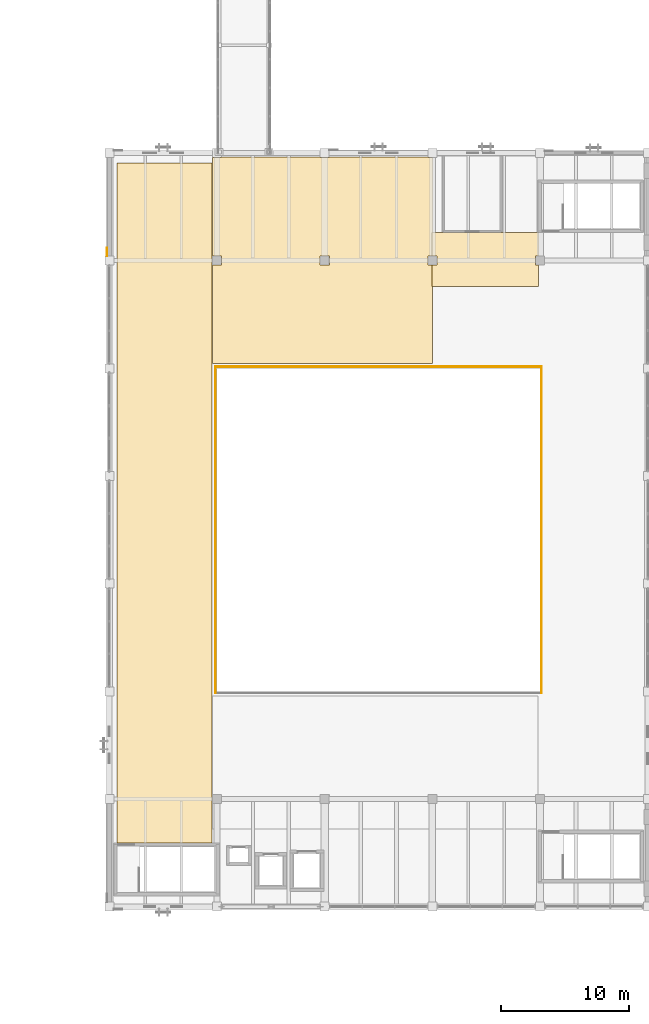
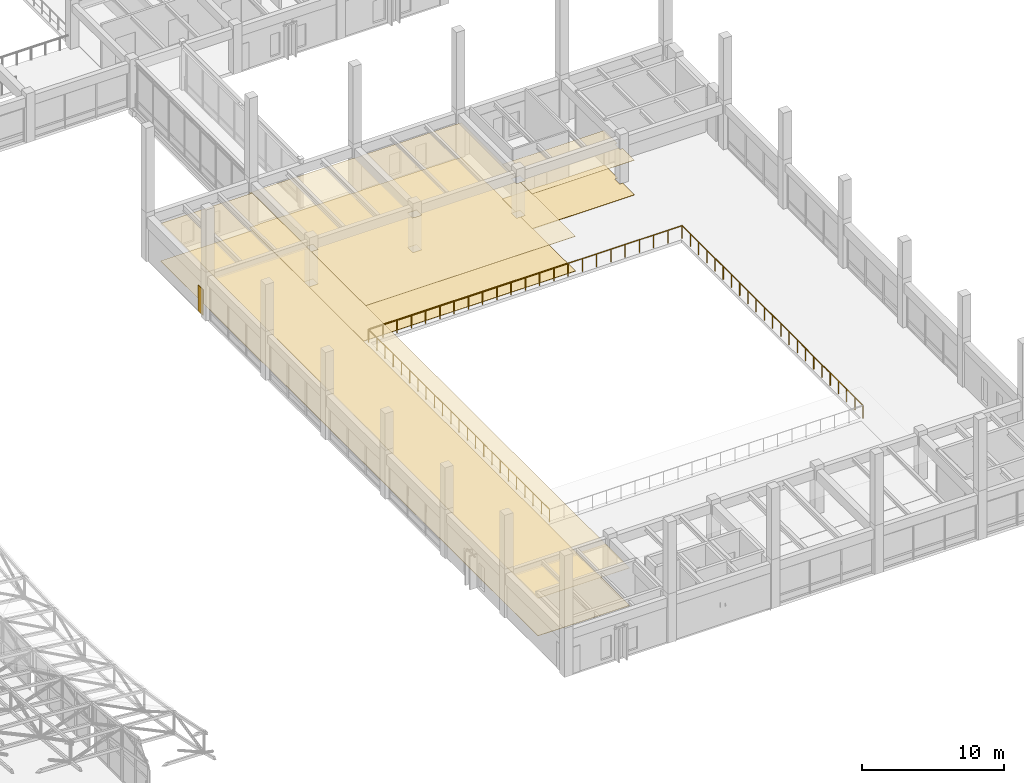
# One storey, part 126 of 132: 7 coverings, 3 railings.
"""IFC4 building model written with IfcOpenShell, lengths in metres."""

from ifc_helpers import new_model, si_unit, direction, frame, origin, origin_2d, place, context, subcontext, project, spatial, polyline, circle, outline, extrude, material, layer, layer_set, type_object, element, save


model = new_model("IFC4")

# Units and contexts
model_context = context("Model", 3, precision=1e-05, world=origin(), true_north=direction((0.0, 1.0)))
body_context = subcontext(model_context, "Body", "Model", "MODEL_VIEW")
ifc_project = project(units=[si_unit("LENGTHUNIT", "METRE"), si_unit("AREAUNIT", "SQUARE_METRE"), si_unit("VOLUMEUNIT", "CUBIC_METRE"), si_unit("PLANEANGLEUNIT", "RADIAN"), si_unit("MASSUNIT", "GRAM", prefix="KILO")], contexts=[model_context])

# Site, building, storey
site_placement = place(None, origin())
site = spatial("IfcSite", under=ifc_project, at=site_placement, CompositionType="ELEMENT")
building_placement = place(site_placement, origin())
building = spatial("IfcBuilding", under=site, at=building_placement, Name="Cumbredor Promenade Congress Hotel", CompositionType="ELEMENT")
storey_placement = place(building_placement, frame((0.0, 0.0, 7.56005859375)))
storey = spatial("IfcBuildingStorey", under=building, at=storey_placement, Name="L02", CompositionType="ELEMENT", Elevation=7.56005859375)

# Coverings
ifc_material_1 = material(Name="Acoustic mineral-fiber and gypsum ceiling")
ifc_layer_1 = layer(ifc_material_1, 0.01806640625, Name="Acoustic mineral-fiber and gypsum ceiling")
ifc_layer_set_1 = layer_set([ifc_layer_1], Name="Acoustic mineral-fiber and gypsum ceiling")
covering_type_1 = type_object("IfcCoveringType", Name="Acoustic Perforated Gypsum Ceiling CLG-01 18mm", PredefinedType="CEILING", material=ifc_layer_set_1)
covering_1_placement = place(storey_placement, frame((0.0, 0.0, 2.98291015625)))
element("IfcCovering", 1, at=covering_1_placement, inside=storey, type_object=covering_type_1, Name="L02 Ballroom North Mezzanine Corridor Acoustic Ceiling", PredefinedType="CEILING", context=body_context, shape_type="SweptSolid", body=[
    extrude(outline(polyline([(176.27001953125, 59.155029296875), (176.044921875, 59.155029296875), (176.044921875, 58.445068359375), (176.27001953125, 58.445068359375), (176.27001953125, 56.780029296875), (167.97998046875, 56.780029296875), (167.97998046875, 58.445068359375), (168.35498046875, 58.445068359375), (168.35498046875, 59.155029296875), (167.97998046875, 59.155029296875), (167.97998046875, 61.0), (176.27001953125, 61.0), (176.27001953125, 59.155029296875)])), origin(), (0.0, 0.0, 1.0), 0.01806640625),
])
ifc_layer_2 = layer(ifc_material_1, 0.02197265625, Name="Acoustic mineral-fiber and gypsum ceiling")
ifc_layer_set_2 = layer_set([ifc_layer_2], Name="Acoustic mineral-fiber and gypsum ceiling")
covering_type_2 = type_object("IfcCoveringType", Name="Acoustic Perforated Gypsum Ceiling CLG-02 22mm", PredefinedType="CEILING", material=ifc_layer_set_2)
covering_2_placement = place(storey_placement, frame((0.0, 0.0, 3.22998046875)))
element("IfcCovering", 2, at=covering_2_placement, inside=storey, type_object=covering_type_2, Name="L02 Ballroom West Mezzanine Gallery Acoustic Ceiling", PredefinedType="CEILING", context=body_context, shape_type="SweptSolid", body=[
    extrude(outline(polyline([(143.3798828125, 66.419921875), (150.820068359375, 66.419921875), (150.820068359375, 13.3798828125), (143.3798828125, 13.3798828125), (143.3798828125, 66.419921875)])), origin(), (0.0, 0.0, 1.0), 0.02197265625),
])
ifc_layer_3 = layer(ifc_material_1, 0.031982421875, Name="Acoustic mineral-fiber and gypsum ceiling")
ifc_layer_set_3 = layer_set([ifc_layer_3], Name="Acoustic mineral-fiber and gypsum ceiling")
covering_type_3 = type_object("IfcCoveringType", Name="Acoustic Perforated Gypsum Ceiling CLG-04 32mm", PredefinedType="CEILING", material=ifc_layer_set_3)
covering_3_placement = place(storey_placement, frame((0.0, 0.0, 2.968994140625)))
element("IfcCovering", 3, at=covering_3_placement, inside=storey, type_object=covering_type_3, Name="L02 North Court Reception Salon Acoustic Ceiling", PredefinedType="CEILING", context=body_context, shape_type="SweptSolid", body=[
    extrude(outline(polyline([(150.844970703125, 66.844970703125), (151.554931640625, 66.844970703125), (151.554931640625, 66.8701171875), (159.2451171875, 66.8701171875), (159.2451171875, 66.844970703125), (159.955078125, 66.844970703125), (159.955078125, 66.8701171875), (167.64501953125, 66.8701171875), (167.64501953125, 66.844970703125), (168.02001953125, 66.844970703125), (168.02001953125, 59.155029296875), (167.64501953125, 59.155029296875), (167.64501953125, 58.445068359375), (168.02001953125, 58.445068359375), (168.02001953125, 50.780029296875), (150.830078125, 50.780029296875), (150.830078125, 66.8701171875), (150.844970703125, 66.8701171875), (150.844970703125, 66.844970703125)]), holes=[polyline([(150.844970703125, 59.155029296875), (150.844970703125, 58.445068359375), (151.554931640625, 58.445068359375), (151.554931640625, 59.155029296875), (150.844970703125, 59.155029296875)]), polyline([(159.955078125, 58.445068359375), (159.955078125, 59.155029296875), (159.2451171875, 59.155029296875), (159.2451171875, 58.445068359375), (159.955078125, 58.445068359375)])]), origin(), (0.0, 0.0, 1.0), 0.031982421875),
])

# Railings
ifc_material_2 = material(Name="Brushed stainless steel", Category="steel")
railing_type = type_object("IfcRailingType", Name="Interior Void & Stair Guardrail GR-1100", PredefinedType="GUARDRAIL", material=ifc_material_2)
railing_1_placement = place(storey_placement, frame((176.52001953125, 25.080078125, 0.0)))
element("IfcRailing", 4, at=railing_1_placement, inside=storey, type_object=railing_type, Name="L02 v2_ballroom_void Void Perimeter Guardrail 2", PredefinedType="GUARDRAIL", context=body_context, shape_type="SweptSolid", body=[
    extrude(circle(Radius=0.02392578125, at=origin_2d()), frame((0.0, 0.0, 1.09619140625), z_axis=(0.0, 1.0, 0.0), x_axis=(-1.0, 0.0, 0.0)), (0.0, 0.0, 1.0), 25.43994140625),
    extrude(circle(Radius=0.02099609375, at=origin_2d()), origin(), (0.0, 0.0, 1.0), 1.072021484375),
    extrude(circle(Radius=0.02099609375, at=origin_2d()), frame((0.0, 1.15625, 0.0)), (0.0, 0.0, 1.0), 1.072021484375),
    extrude(circle(Radius=0.02099609375, at=origin_2d()), frame((0.0, 2.312744140625, 0.0)), (0.0, 0.0, 1.0), 1.072021484375),
    extrude(circle(Radius=0.02099609375, at=origin_2d()), frame((0.0, 3.468994140625, 0.0)), (0.0, 0.0, 1.0), 1.072021484375),
    extrude(circle(Radius=0.02099609375, at=origin_2d()), frame((0.0, 4.62548828125, 0.0)), (0.0, 0.0, 1.0), 1.072021484375),
    extrude(circle(Radius=0.02099609375, at=origin_2d()), frame((0.0, 5.78173828125, 0.0)), (0.0, 0.0, 1.0), 1.072021484375),
    extrude(circle(Radius=0.02099609375, at=origin_2d()), frame((0.0, 6.938232421875, 0.0)), (0.0, 0.0, 1.0), 1.072021484375),
    extrude(circle(Radius=0.02099609375, at=origin_2d()), frame((0.0, 8.094482421875, 0.0)), (0.0, 0.0, 1.0), 1.072021484375),
    extrude(circle(Radius=0.02099609375, at=origin_2d()), frame((0.0, 9.2509765625, 0.0)), (0.0, 0.0, 1.0), 1.072021484375),
    extrude(circle(Radius=0.02099609375, at=origin_2d()), frame((0.0, 10.4072265625, 0.0)), (0.0, 0.0, 1.0), 1.072021484375),
    extrude(circle(Radius=0.02099609375, at=origin_2d()), frame((0.0, 11.563720703125, 0.0)), (0.0, 0.0, 1.0), 1.072021484375),
    extrude(circle(Radius=0.02099609375, at=origin_2d()), frame((0.0, 12.719970703125, 0.0)), (0.0, 0.0, 1.0), 1.072021484375),
    extrude(circle(Radius=0.02099609375, at=origin_2d()), frame((0.0, 13.876220703125, 0.0)), (0.0, 0.0, 1.0), 1.072021484375),
    extrude(circle(Radius=0.02099609375, at=origin_2d()), frame((0.0, 15.03271484375, 0.0)), (0.0, 0.0, 1.0), 1.072021484375),
    extrude(circle(Radius=0.02099609375, at=origin_2d()), frame((0.0, 16.18896484375, 0.0)), (0.0, 0.0, 1.0), 1.072021484375),
    extrude(circle(Radius=0.02099609375, at=origin_2d()), frame((0.0, 17.345458984375, 0.0)), (0.0, 0.0, 1.0), 1.072021484375),
    extrude(circle(Radius=0.02099609375, at=origin_2d()), frame((0.0, 18.501708984375, 0.0)), (0.0, 0.0, 1.0), 1.072021484375),
    extrude(circle(Radius=0.02099609375, at=origin_2d()), frame((0.0, 19.658203125, 0.0)), (0.0, 0.0, 1.0), 1.072021484375),
    extrude(circle(Radius=0.02099609375, at=origin_2d()), frame((0.0, 20.814453125, 0.0)), (0.0, 0.0, 1.0), 1.072021484375),
    extrude(circle(Radius=0.02099609375, at=origin_2d()), frame((0.0, 21.970947265625, 0.0)), (0.0, 0.0, 1.0), 1.072021484375),
    extrude(circle(Radius=0.02099609375, at=origin_2d()), frame((0.0, 23.127197265625, 0.0)), (0.0, 0.0, 1.0), 1.072021484375),
    extrude(circle(Radius=0.02099609375, at=origin_2d()), frame((0.0, 24.28369140625, 0.0)), (0.0, 0.0, 1.0), 1.072021484375),
    extrude(circle(Radius=0.02099609375, at=origin_2d()), frame((0.0, 25.43994140625, 0.0)), (0.0, 0.0, 1.0), 1.072021484375),
])
railing_2_placement = place(storey_placement, frame((176.52001953125, 50.52001953125, 0.0)))
element("IfcRailing", 5, at=railing_2_placement, inside=storey, type_object=railing_type, Name="L02 v2_ballroom_void Void Perimeter Guardrail 3", PredefinedType="GUARDRAIL", context=body_context, shape_type="SweptSolid", body=[
    extrude(circle(Radius=0.02392578125, at=origin_2d()), frame((0.0, 0.0, 1.09619140625), z_axis=(-1.0, 0.0, 0.0), x_axis=(0.0, -1.0, 0.0)), (0.0, 0.0, 1.0), 25.43994140625),
    extrude(circle(Radius=0.02099609375, at=origin_2d()), origin(), (0.0, 0.0, 1.0), 1.072021484375),
    extrude(circle(Radius=0.02099609375, at=origin_2d()), frame((-1.15625, 0.0, 0.0)), (0.0, 0.0, 1.0), 1.072021484375),
    extrude(circle(Radius=0.02099609375, at=origin_2d()), frame((-2.312744140625, 0.0, 0.0)), (0.0, 0.0, 1.0), 1.072021484375),
    extrude(circle(Radius=0.02099609375, at=origin_2d()), frame((-3.468994140625, 0.0, 0.0)), (0.0, 0.0, 1.0), 1.072021484375),
    extrude(circle(Radius=0.02099609375, at=origin_2d()), frame((-4.62548828125, 0.0, 0.0)), (0.0, 0.0, 1.0), 1.072021484375),
    extrude(circle(Radius=0.02099609375, at=origin_2d()), frame((-5.78173828125, 0.0, 0.0)), (0.0, 0.0, 1.0), 1.072021484375),
    extrude(circle(Radius=0.02099609375, at=origin_2d()), frame((-6.938232421875, 0.0, 0.0)), (0.0, 0.0, 1.0), 1.072021484375),
    extrude(circle(Radius=0.02099609375, at=origin_2d()), frame((-8.094482421875, 0.0, 0.0)), (0.0, 0.0, 1.0), 1.072021484375),
    extrude(circle(Radius=0.02099609375, at=origin_2d()), frame((-9.2509765625, 0.0, 0.0)), (0.0, 0.0, 1.0), 1.072021484375),
    extrude(circle(Radius=0.02099609375, at=origin_2d()), frame((-10.4072265625, 0.0, 0.0)), (0.0, 0.0, 1.0), 1.072021484375),
    extrude(circle(Radius=0.02099609375, at=origin_2d()), frame((-11.563720703125, 0.0, 0.0)), (0.0, 0.0, 1.0), 1.072021484375),
    extrude(circle(Radius=0.02099609375, at=origin_2d()), frame((-12.719970703125, 0.0, 0.0)), (0.0, 0.0, 1.0), 1.072021484375),
    extrude(circle(Radius=0.02099609375, at=origin_2d()), frame((-13.876220703125, 0.0, 0.0)), (0.0, 0.0, 1.0), 1.072021484375),
    extrude(circle(Radius=0.02099609375, at=origin_2d()), frame((-15.03271484375, 0.0, 0.0)), (0.0, 0.0, 1.0), 1.072021484375),
    extrude(circle(Radius=0.02099609375, at=origin_2d()), frame((-16.18896484375, 0.0, 0.0)), (0.0, 0.0, 1.0), 1.072021484375),
    extrude(circle(Radius=0.02099609375, at=origin_2d()), frame((-17.345458984375, 0.0, 0.0)), (0.0, 0.0, 1.0), 1.072021484375),
    extrude(circle(Radius=0.02099609375, at=origin_2d()), frame((-18.501708984375, 0.0, 0.0)), (0.0, 0.0, 1.0), 1.072021484375),
    extrude(circle(Radius=0.02099609375, at=origin_2d()), frame((-19.658203125, 0.0, 0.0)), (0.0, 0.0, 1.0), 1.072021484375),
    extrude(circle(Radius=0.02099609375, at=origin_2d()), frame((-20.814453125, 0.0, 0.0)), (0.0, 0.0, 1.0), 1.072021484375),
    extrude(circle(Radius=0.02099609375, at=origin_2d()), frame((-21.970947265625, 0.0, 0.0)), (0.0, 0.0, 1.0), 1.072021484375),
    extrude(circle(Radius=0.02099609375, at=origin_2d()), frame((-23.127197265625, 0.0, 0.0)), (0.0, 0.0, 1.0), 1.072021484375),
    extrude(circle(Radius=0.02099609375, at=origin_2d()), frame((-24.28369140625, 0.0, 0.0)), (0.0, 0.0, 1.0), 1.072021484375),
    extrude(circle(Radius=0.02099609375, at=origin_2d()), frame((-25.43994140625, 0.0, 0.0)), (0.0, 0.0, 1.0), 1.072021484375),
])
railing_3_placement = place(storey_placement, frame((151.080078125, 50.52001953125, 0.0)))
element("IfcRailing", 6, at=railing_3_placement, inside=storey, type_object=railing_type, Name="L02 v2_ballroom_void Void Perimeter Guardrail 4", PredefinedType="GUARDRAIL", context=body_context, shape_type="SweptSolid", body=[
    extrude(circle(Radius=0.02392578125, at=origin_2d()), frame((0.0, 0.0, 1.09619140625), z_axis=(0.0, -1.0, 0.0), x_axis=(1.0, 0.0, 0.0)), (0.0, 0.0, 1.0), 25.43994140625),
    extrude(circle(Radius=0.02099609375, at=origin_2d()), origin(), (0.0, 0.0, 1.0), 1.072021484375),
    extrude(circle(Radius=0.02099609375, at=origin_2d()), frame((0.0, -1.15625, 0.0)), (0.0, 0.0, 1.0), 1.072021484375),
    extrude(circle(Radius=0.02099609375, at=origin_2d()), frame((0.0, -2.312744140625, 0.0)), (0.0, 0.0, 1.0), 1.072021484375),
    extrude(circle(Radius=0.02099609375, at=origin_2d()), frame((0.0, -3.468994140625, 0.0)), (0.0, 0.0, 1.0), 1.072021484375),
    extrude(circle(Radius=0.02099609375, at=origin_2d()), frame((0.0, -4.62548828125, 0.0)), (0.0, 0.0, 1.0), 1.072021484375),
    extrude(circle(Radius=0.02099609375, at=origin_2d()), frame((0.0, -5.78173828125, 0.0)), (0.0, 0.0, 1.0), 1.072021484375),
    extrude(circle(Radius=0.02099609375, at=origin_2d()), frame((0.0, -6.938232421875, 0.0)), (0.0, 0.0, 1.0), 1.072021484375),
    extrude(circle(Radius=0.02099609375, at=origin_2d()), frame((0.0, -8.094482421875, 0.0)), (0.0, 0.0, 1.0), 1.072021484375),
    extrude(circle(Radius=0.02099609375, at=origin_2d()), frame((0.0, -9.2509765625, 0.0)), (0.0, 0.0, 1.0), 1.072021484375),
    extrude(circle(Radius=0.02099609375, at=origin_2d()), frame((0.0, -10.4072265625, 0.0)), (0.0, 0.0, 1.0), 1.072021484375),
    extrude(circle(Radius=0.02099609375, at=origin_2d()), frame((0.0, -11.563720703125, 0.0)), (0.0, 0.0, 1.0), 1.072021484375),
    extrude(circle(Radius=0.02099609375, at=origin_2d()), frame((0.0, -12.719970703125, 0.0)), (0.0, 0.0, 1.0), 1.072021484375),
    extrude(circle(Radius=0.02099609375, at=origin_2d()), frame((0.0, -13.876220703125, 0.0)), (0.0, 0.0, 1.0), 1.072021484375),
    extrude(circle(Radius=0.02099609375, at=origin_2d()), frame((0.0, -15.03271484375, 0.0)), (0.0, 0.0, 1.0), 1.072021484375),
    extrude(circle(Radius=0.02099609375, at=origin_2d()), frame((0.0, -16.18896484375, 0.0)), (0.0, 0.0, 1.0), 1.072021484375),
    extrude(circle(Radius=0.02099609375, at=origin_2d()), frame((0.0, -17.345458984375, 0.0)), (0.0, 0.0, 1.0), 1.072021484375),
    extrude(circle(Radius=0.02099609375, at=origin_2d()), frame((0.0, -18.501708984375, 0.0)), (0.0, 0.0, 1.0), 1.072021484375),
    extrude(circle(Radius=0.02099609375, at=origin_2d()), frame((0.0, -19.658203125, 0.0)), (0.0, 0.0, 1.0), 1.072021484375),
    extrude(circle(Radius=0.02099609375, at=origin_2d()), frame((0.0, -20.814453125, 0.0)), (0.0, 0.0, 1.0), 1.072021484375),
    extrude(circle(Radius=0.02099609375, at=origin_2d()), frame((0.0, -21.970947265625, 0.0)), (0.0, 0.0, 1.0), 1.072021484375),
    extrude(circle(Radius=0.02099609375, at=origin_2d()), frame((0.0, -23.127197265625, 0.0)), (0.0, 0.0, 1.0), 1.072021484375),
    extrude(circle(Radius=0.02099609375, at=origin_2d()), frame((0.0, -24.28369140625, 0.0)), (0.0, 0.0, 1.0), 1.072021484375),
    extrude(circle(Radius=0.02099609375, at=origin_2d()), frame((0.0, -25.43994140625, 0.0)), (0.0, 0.0, 1.0), 1.072021484375),
])

# Coverings
ifc_material_3 = material(Name="Porcelain stoneware tile", Category="masonry")
ifc_layer_4 = layer(ifc_material_3, 0.02490234375, Name="Porcelain stoneware tile", Category="masonry")
ifc_layer_set_4 = layer_set([ifc_layer_4], Name="Porcelain stoneware tile")
covering_type_4 = type_object("IfcCoveringType", Name="Porcelain Stoneware Flooring FLR-02 25mm", PredefinedType="FLOORING", material=ifc_layer_set_4)
covering_4_placement = place(storey_placement, origin())
element("IfcCovering", 7, at=covering_4_placement, inside=storey, type_object=covering_type_4, Name="L02 North Court Reception Salon Porcelain Flooring", PredefinedType="FLOORING", context=body_context, shape_type="SweptSolid", body=[
    extrude(outline(polyline([(150.844970703125, 66.844970703125), (151.554931640625, 66.844970703125), (151.554931640625, 66.8701171875), (159.2451171875, 66.8701171875), (159.2451171875, 66.844970703125), (159.955078125, 66.844970703125), (159.955078125, 66.8701171875), (167.64501953125, 66.8701171875), (167.64501953125, 66.844970703125), (168.02001953125, 66.844970703125), (168.02001953125, 59.155029296875), (167.64501953125, 59.155029296875), (167.64501953125, 58.445068359375), (168.02001953125, 58.445068359375), (168.02001953125, 50.780029296875), (150.830078125, 50.780029296875), (150.830078125, 66.8701171875), (150.844970703125, 66.8701171875), (150.844970703125, 66.844970703125)]), holes=[polyline([(150.844970703125, 59.155029296875), (150.844970703125, 58.445068359375), (151.554931640625, 58.445068359375), (151.554931640625, 59.155029296875), (150.844970703125, 59.155029296875)]), polyline([(159.955078125, 58.445068359375), (159.955078125, 59.155029296875), (159.2451171875, 59.155029296875), (159.2451171875, 58.445068359375), (159.955078125, 58.445068359375)])]), origin(), (0.0, 0.0, 1.0), 0.02490234375),
])
ifc_layer_5 = layer(ifc_material_3, 0.030029296875, Name="Porcelain stoneware tile", Category="masonry")
ifc_layer_set_5 = layer_set([ifc_layer_5], Name="Porcelain stoneware tile")
covering_type_5 = type_object("IfcCoveringType", Name="Porcelain Stoneware Flooring FLR-03 30mm", PredefinedType="FLOORING", material=ifc_layer_set_5)
covering_5_placement = place(storey_placement, origin())
element("IfcCovering", 8, at=covering_5_placement, inside=storey, type_object=covering_type_5, Name="L02 Ballroom West Mezzanine Gallery Porcelain Flooring", PredefinedType="FLOORING", context=body_context, shape_type="SweptSolid", body=[
    extrude(outline(polyline([(143.3798828125, 66.419921875), (150.820068359375, 66.419921875), (150.820068359375, 13.3798828125), (143.3798828125, 13.3798828125), (143.3798828125, 66.419921875)])), origin(), (0.0, 0.0, 1.0), 0.030029296875),
])
covering_6_placement = place(storey_placement, origin())
element("IfcCovering", 9, at=covering_6_placement, inside=storey, type_object=covering_type_5, Name="L02 Ballroom North Mezzanine Corridor Porcelain Flooring", PredefinedType="FLOORING", context=body_context, shape_type="SweptSolid", body=[
    extrude(outline(polyline([(176.27001953125, 59.155029296875), (176.044921875, 59.155029296875), (176.044921875, 58.445068359375), (176.27001953125, 58.445068359375), (176.27001953125, 56.780029296875), (167.97998046875, 56.780029296875), (167.97998046875, 58.445068359375), (168.35498046875, 58.445068359375), (168.35498046875, 59.155029296875), (167.97998046875, 59.155029296875), (167.97998046875, 61.0), (176.27001953125, 61.0), (176.27001953125, 59.155029296875)])), origin(), (0.0, 0.0, 1.0), 0.030029296875),
])
ifc_material_4 = material(Name="Volcanic andesite ashlar cladding", Category="masonry")
ifc_layer_6 = layer(ifc_material_4, 0.034912109375, Name="Volcanic andesite ashlar cladding", Category="masonry")
ifc_layer_set_6 = layer_set([ifc_layer_6], Name="Volcanic andesite ashlar cladding")
covering_type_6 = type_object("IfcCoveringType", Name="Volcanic Andesite Ashlar Rainscreen Cladding 35mm", PredefinedType="CLADDING", material=ifc_layer_set_6)
covering_7_placement = place(storey_placement, origin())
element("IfcCovering", 10, at=covering_7_placement, inside=storey, type_object=covering_type_6, Name="L02 Facade Stone Cladding Pier 107", PredefinedType="CLADDING", context=body_context, shape_type="SweptSolid", body=[
    extrude(outline(polyline([(142.64990234375, 59.15087890625), (142.64990234375, 59.801025390625), (142.614990234375, 59.801025390625), (142.614990234375, 59.15087890625), (142.64990234375, 59.15087890625)])), origin(), (0.0, 0.0, 1.0), 2.25),
])

save(model, "model.ifc")
